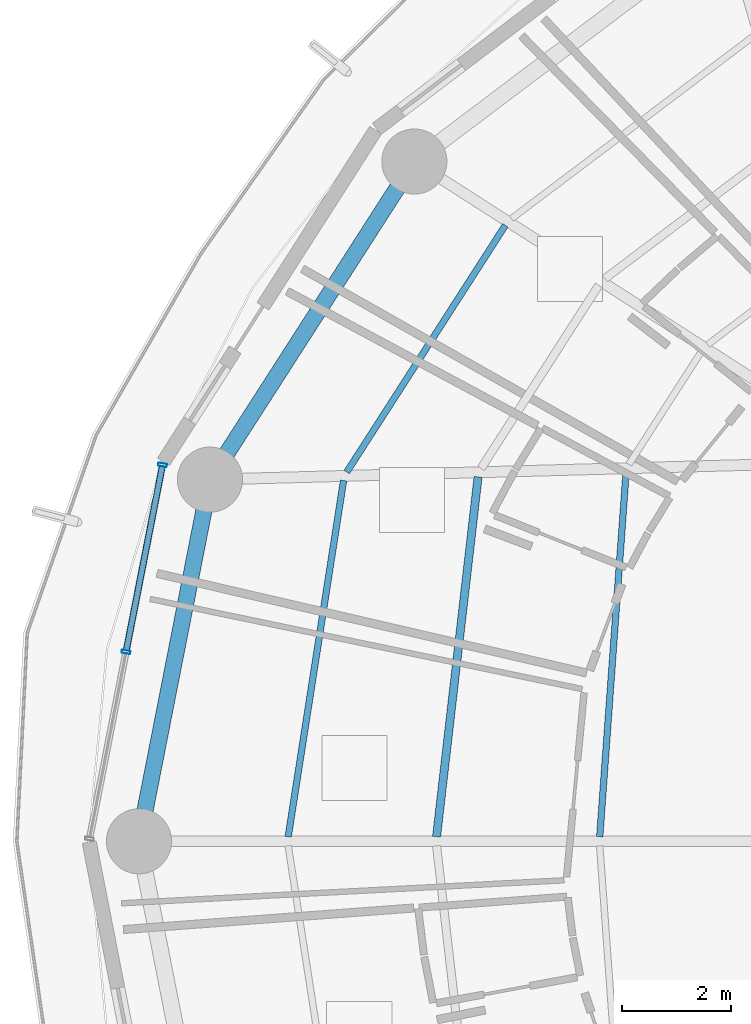
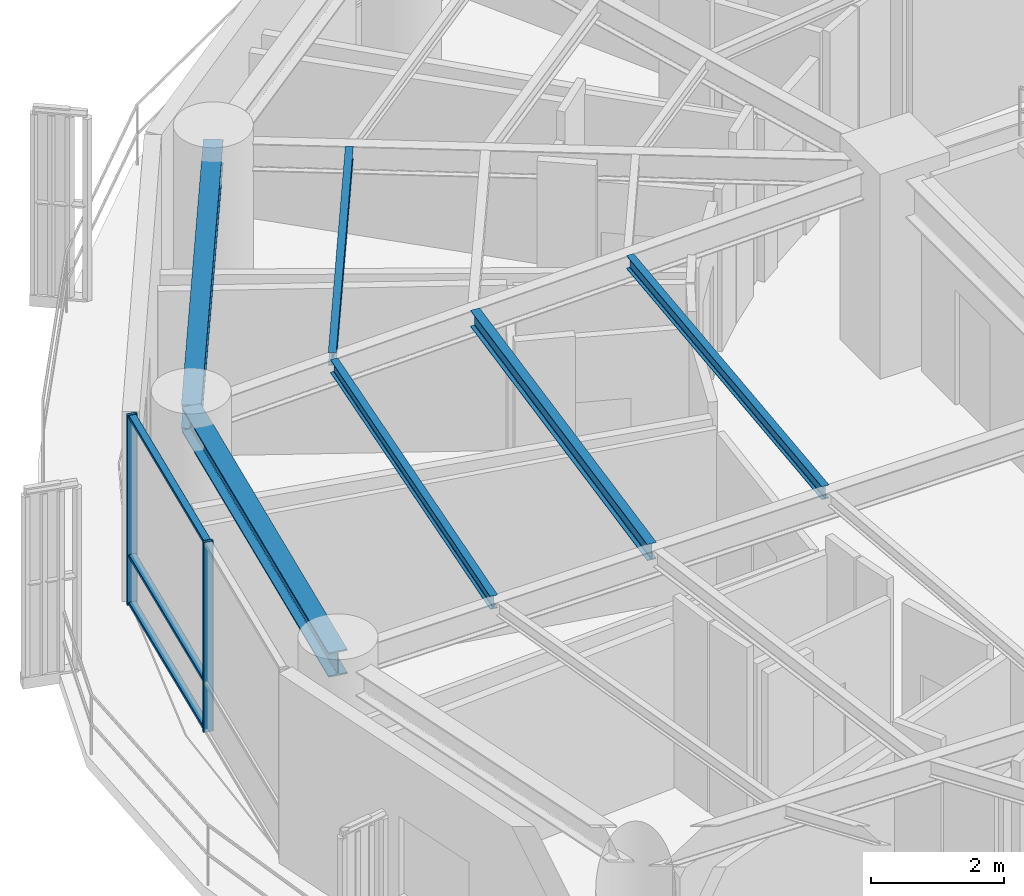
# One storey, part 8 of 29: 6 beams, 5 members, 1 element without a shape of its own.
"""IFC4 building model written with IfcOpenShell, lengths in metres."""

from ifc_helpers import new_model, si_unit, direction, frame, origin, origin_2d, place, context, subcontext, project, spatial, hollow_rectangle, i_section, extrude, material, layer, layer_set, material_profile, profile_set, type_object, element, aggregate, save


model = new_model("IFC4")

# Units and contexts
model_context = context("Model", 3, precision=1e-05, world=origin(), true_north=direction((0.0, 1.0)))
body_context = subcontext(model_context, "Body", "Model", "MODEL_VIEW")
ifc_project = project(units=[si_unit("LENGTHUNIT", "METRE"), si_unit("AREAUNIT", "SQUARE_METRE"), si_unit("VOLUMEUNIT", "CUBIC_METRE"), si_unit("PLANEANGLEUNIT", "RADIAN"), si_unit("MASSUNIT", "GRAM", prefix="KILO")], contexts=[model_context])

# Site, building, storey
site_placement = place(None, origin())
site = spatial("IfcSite", under=ifc_project, at=site_placement, CompositionType="ELEMENT")
building_placement = place(site_placement, origin())
building = spatial("IfcBuilding", under=site, at=building_placement, Name="Kelanora Arch Commons", CompositionType="ELEMENT")
storey_placement = place(building_placement, frame((0.0, 0.0, 135.60009765625)))
storey = spatial("IfcBuildingStorey", under=building, at=storey_placement, Name="L34", CompositionType="ELEMENT", Elevation=135.60009765625)

# Beams
ifc_material_1 = material(Name="Steel S355", Category="steel")
ifc_material_profile_1 = material_profile(ifc_material_1, i_section(OverallWidth=0.14990234375, OverallDepth=0.300048828125, WebThickness=0.007080078125, FlangeThickness=0.0107421875, FilletRadius=0.014892578125, at=origin_2d()), Name="IPE300")
ifc_profile_set_1 = profile_set([ifc_material_profile_1], Name="Steel S355")
beam_type_1 = type_object("IfcBeamType", Name="BM-JST-01", PredefinedType="JOIST", material=ifc_profile_set_1)
beam_1_placement = place(storey_placement, frame((58.56689453125, 64.713134765625, 3.33984375), z_axis=(-0.114667159005, -0.9934039675, 0.0), x_axis=(0.9934039675, -0.114667159005, 0.0)))
element("IfcBeam", 1, at=beam_1_placement, inside=storey, type_object=beam_type_1, Name="Secondary Chord Joist BJB-16 L34", PredefinedType="JOIST", context=body_context, shape_type="SweptSolid", body=[
    extrude(i_section(OverallWidth=0.14990234375, OverallDepth=0.300048828125, WebThickness=0.007080078125, FlangeThickness=0.0107421875, FilletRadius=0.014892578125, at=origin_2d()), origin(), (0.0, 0.0, 1.0), 6.672607421875),
])
ifc_material_profile_2 = material_profile(ifc_material_1, i_section(OverallWidth=0.1201171875, OverallDepth=0.239990234375, WebThickness=0.006103515625, FlangeThickness=0.009765625, FilletRadius=0.014892578125, at=origin_2d()), Name="IPE240")
ifc_profile_set_2 = profile_set([ifc_material_profile_2], Name="Steel S355")
beam_type_2 = type_object("IfcBeamType", Name="BM-JST-02", PredefinedType="JOIST", material=ifc_profile_set_2)
beam_2_placement = place(storey_placement, frame((59.06787109375, 69.345703125, 3.369873046875), z_axis=(-0.540581678156, -0.841291536414, 0.0), x_axis=(0.841291536414, -0.540581678156, 0.0)))
element("IfcBeam", 2, at=beam_2_placement, inside=storey, type_object=beam_type_2, Name="Secondary Chord Joist BJC-14 L34", PredefinedType="JOIST", context=body_context, shape_type="SweptSolid", body=[
    extrude(i_section(OverallWidth=0.1201171875, OverallDepth=0.239990234375, WebThickness=0.006103515625, FlangeThickness=0.009765625, FilletRadius=0.014892578125, at=origin_2d()), origin(), (0.0, 0.0, 1.0), 5.4013671875),
])
beam_3_placement = place(storey_placement, frame((61.292236328125, 64.787109375, 3.369873046875), z_axis=(-0.072117123738, -0.997396170267, 0.0), x_axis=(0.997396170267, -0.072117123738, 0.0)))
element("IfcBeam", 3, at=beam_3_placement, inside=storey, type_object=beam_type_2, Name="Secondary Chord Joist BJA-16 L34", PredefinedType="JOIST", context=body_context, shape_type="SweptSolid", body=[
    extrude(i_section(OverallWidth=0.1201171875, OverallDepth=0.239990234375, WebThickness=0.006103515625, FlangeThickness=0.009765625, FilletRadius=0.014892578125, at=origin_2d()), origin(), (0.0, 0.0, 1.0), 6.719970703125),
])
beam_4_placement = place(storey_placement, frame((56.0888671875, 64.64599609375, 3.369873046875), z_axis=(-0.153562625853, -0.988138917329, 0.0), x_axis=(0.988138917329, -0.153562625853, 0.0)))
element("IfcBeam", 4, at=beam_4_placement, inside=storey, type_object=beam_type_2, Name="Secondary Chord Joist BJC-16 L34", PredefinedType="JOIST", context=body_context, shape_type="SweptSolid", body=[
    extrude(i_section(OverallWidth=0.1201171875, OverallDepth=0.239990234375, WebThickness=0.006103515625, FlangeThickness=0.009765625, FilletRadius=0.014892578125, at=origin_2d()), origin(), (0.0, 0.0, 1.0), 6.640869140625),
])
ifc_material_profile_3 = material_profile(ifc_material_1, i_section(OverallWidth=0.300048828125, OverallDepth=0.449951171875, WebThickness=0.013916015625, FlangeThickness=0.02587890625, FilletRadius=0.027099609375, at=origin_2d()), Name="HEB450")
ifc_profile_set_3 = profile_set([ifc_material_profile_3], Name="Steel S355")
beam_type_3 = type_object("IfcBeamType", Name="BM-SPN-Z3", PredefinedType="SPANDREL", material=ifc_profile_set_3)
beam_5_placement = place(storey_placement, frame((57.39208984375, 70.521484375, 3.264892578125), z_axis=(-0.540576852469, -0.841294637196, 0.0), x_axis=(0.841294637196, -0.540576852469, 0.0)))
element("IfcBeam", 5, at=beam_5_placement, inside=storey, type_object=beam_type_3, Name="Perimeter Spandrel Beam BS-14 L34", PredefinedType="SPANDREL", context=body_context, shape_type="SweptSolid", body=[
    extrude(i_section(OverallWidth=0.300048828125, OverallDepth=0.449951171875, WebThickness=0.013916015625, FlangeThickness=0.02587890625, FilletRadius=0.027099609375, at=origin_2d()), origin(), (0.0, 0.0, 1.0), 6.964111328125),
])
beam_6_placement = place(storey_placement, frame((53.62744140625, 64.66259765625, 3.264892578125), z_axis=(-0.192553643556, -0.981286448675, 0.0), x_axis=(0.981286448675, -0.192553643556, 0.0)))
element("IfcBeam", 6, at=beam_6_placement, inside=storey, type_object=beam_type_3, Name="Perimeter Spandrel Beam BS-16 L34", PredefinedType="SPANDREL", context=body_context, shape_type="SweptSolid", body=[
    extrude(i_section(OverallWidth=0.300048828125, OverallDepth=0.449951171875, WebThickness=0.013916015625, FlangeThickness=0.02587890625, FilletRadius=0.027099609375, at=origin_2d()), origin(), (0.0, 0.0, 1.0), 6.78955078125),
])

# Curtain wall, members
ifc_material_2 = material(Name="Terracotta ceramic-fritted low-E glass and aluminium", Category="masonry")
ifc_layer = layer(ifc_material_2, 0.175048828125)
ifc_layer_set = layer_set([ifc_layer], Name="Terracotta ceramic-fritted low-E glass and aluminium")
curtain_wall_type = type_object("IfcCurtainWallType", Name="CW-SYS-02", PredefinedType="NOTDEFINED", material=ifc_layer_set)
curtain_wall_placement = place(storey_placement, origin())
curtain_wall = element("IfcCurtainWall", 7, at=curtain_wall_placement, inside=storey, type_object=curtain_wall_type, Name="Unitised Curtain Wall L34-B08", PredefinedType="NOTDEFINED")
ifc_material_3 = material(Name="Powder-coated aluminium terracotta", Category="masonry")
ifc_material_profile_4 = material_profile(ifc_material_3, hollow_rectangle(XDim=0.159912109375, YDim=0.06005859375, WallThickness=0.0048828125, InnerFilletRadius=0.0048828125, OuterFilletRadius=0.010009765625, at=origin_2d()), Name="CWM160x60")
ifc_profile_set_4 = profile_set([ifc_material_profile_4], Name="Powder-coated aluminium terracotta")
member_type_1 = type_object("IfcMemberType", Name="CWM-STD", PredefinedType="MULLION", material=ifc_profile_set_4)
member_1_placement = place(storey_placement, frame((52.754150390625, 64.93310546875, 0.0), z_axis=(0.0, 0.0, 1.0), x_axis=(0.981452557718, -0.191705182375, 0.0)))
member_1 = element("IfcMember", 8, at=member_1_placement, type_object=member_type_1, Name="CW-02 mullion 1", PredefinedType="MULLION", context=body_context, shape_type="SweptSolid", body=[
    extrude(hollow_rectangle(XDim=0.159912109375, YDim=0.06005859375, WallThickness=0.0048828125, InnerFilletRadius=0.0048828125, OuterFilletRadius=0.010009765625, at=origin_2d()), origin(), (0.0, 0.0, 1.0), 3.474853515625),
])
member_2_placement = place(storey_placement, frame((52.08154296875, 61.488525390625, 0.0), z_axis=(0.0, 0.0, 1.0), x_axis=(0.981452557718, -0.191705182375, 0.0)))
member_2 = element("IfcMember", 9, at=member_2_placement, type_object=member_type_1, Name="CW-02 mullion 2", PredefinedType="MULLION", context=body_context, shape_type="SweptSolid", body=[
    extrude(hollow_rectangle(XDim=0.159912109375, YDim=0.06005859375, WallThickness=0.0048828125, InnerFilletRadius=0.0048828125, OuterFilletRadius=0.010009765625, at=origin_2d()), origin(), (0.0, 0.0, 1.0), 3.474853515625),
])
ifc_material_profile_5 = material_profile(ifc_material_3, hollow_rectangle(XDim=0.1201171875, YDim=0.06005859375, WallThickness=0.0048828125, InnerFilletRadius=0.0048828125, OuterFilletRadius=0.010009765625, at=origin_2d()), Name="CWT120x60")
ifc_profile_set_5 = profile_set([ifc_material_profile_5], Name="Powder-coated aluminium terracotta")
member_type_2 = type_object("IfcMemberType", Name="CWT-STD", PredefinedType="USERDEFINED", material=ifc_profile_set_5)
member_3_placement = place(storey_placement, frame((52.74853515625, 64.903564453125, 0.02978515625), z_axis=(-0.191731523726, -0.981447412147, 0.0), x_axis=(0.981447412147, -0.191731523726, 0.0)))
member_3 = element("IfcMember", 10, at=member_3_placement, type_object=member_type_2, Name="CW-02 transom 1.1", ObjectType="TRANSOM", PredefinedType="USERDEFINED", context=body_context, shape_type="SweptSolid", body=[
    extrude(hollow_rectangle(XDim=0.1201171875, YDim=0.06005859375, WallThickness=0.0048828125, InnerFilletRadius=0.0048828125, OuterFilletRadius=0.010009765625, at=origin_2d()), origin(), (0.0, 0.0, 1.0), 3.449462890625),
])
member_4_placement = place(storey_placement, frame((52.74853515625, 64.903564453125, 0.89990234375), z_axis=(-0.191731523726, -0.981447412147, 0.0), x_axis=(0.981447412147, -0.191731523726, 0.0)))
member_4 = element("IfcMember", 11, at=member_4_placement, type_object=member_type_2, Name="CW-02 transom 1.2", ObjectType="TRANSOM", PredefinedType="USERDEFINED", context=body_context, shape_type="SweptSolid", body=[
    extrude(hollow_rectangle(XDim=0.1201171875, YDim=0.06005859375, WallThickness=0.0048828125, InnerFilletRadius=0.0048828125, OuterFilletRadius=0.010009765625, at=origin_2d()), origin(), (0.0, 0.0, 1.0), 3.449462890625),
])
member_5_placement = place(storey_placement, frame((52.74853515625, 64.903564453125, 3.44482421875), z_axis=(-0.191731523726, -0.981447412147, 0.0), x_axis=(0.981447412147, -0.191731523726, 0.0)))
member_5 = element("IfcMember", 12, at=member_5_placement, type_object=member_type_2, Name="CW-02 transom 1.3", ObjectType="TRANSOM", PredefinedType="USERDEFINED", context=body_context, shape_type="SweptSolid", body=[
    extrude(hollow_rectangle(XDim=0.1201171875, YDim=0.06005859375, WallThickness=0.0048828125, InnerFilletRadius=0.0048828125, OuterFilletRadius=0.010009765625, at=origin_2d()), origin(), (0.0, 0.0, 1.0), 3.449462890625),
])
aggregate(curtain_wall, [member_1, member_2, member_3, member_4, member_5])

save(model, "model.ifc")
